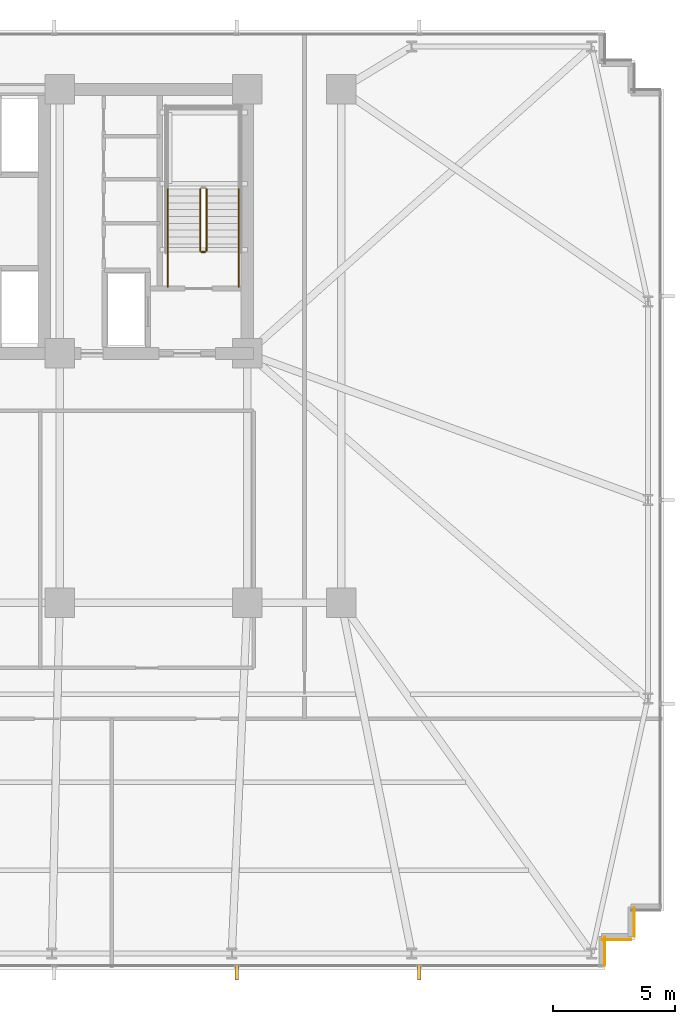
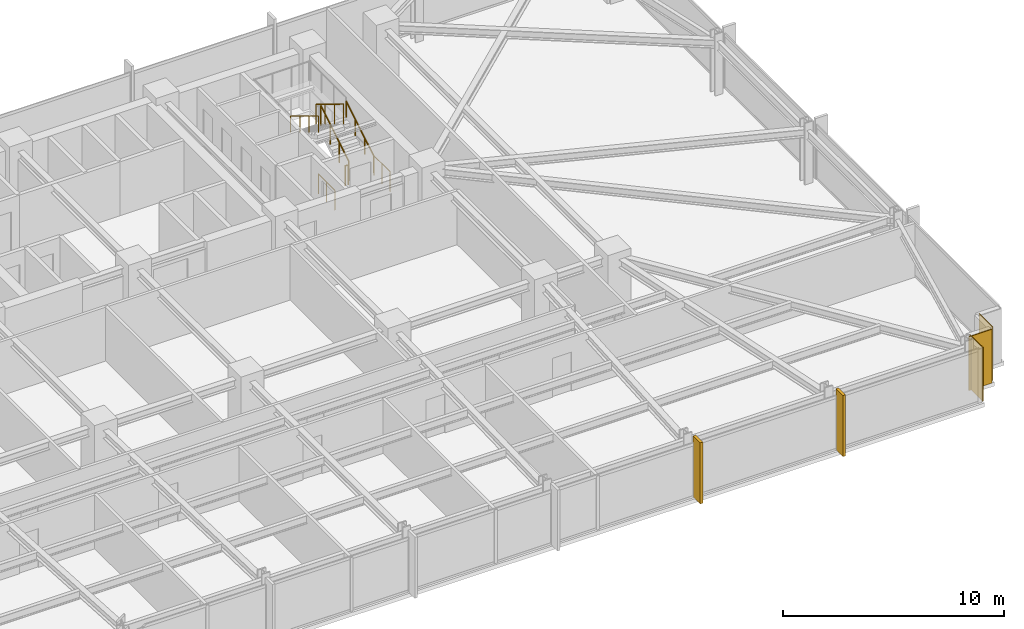
# One storey, part 29 of 32: 7 railings, 3 coverings, 2 shading devices.
"""IFC4 building model written with IfcOpenShell, lengths in metres."""

from ifc_helpers import new_model, si_unit, direction, frame, frame_2d, origin, origin_2d, place, context, subcontext, project, spatial, rectangle, circle, extrude, material, layer, layer_set, type_object, element, save


model = new_model("IFC4")

# Units and contexts
model_context = context("Model", 3, precision=1e-05, world=origin(), true_north=direction((0.0, 1.0)))
body_context = subcontext(model_context, "Body", "Model", "MODEL_VIEW")
ifc_project = project(units=[si_unit("LENGTHUNIT", "METRE"), si_unit("AREAUNIT", "SQUARE_METRE"), si_unit("VOLUMEUNIT", "CUBIC_METRE"), si_unit("PLANEANGLEUNIT", "RADIAN"), si_unit("MASSUNIT", "GRAM", prefix="KILO")], contexts=[model_context])

# Site, building, storey
site_placement = place(None, origin())
site = spatial("IfcSite", under=ifc_project, at=site_placement, CompositionType="ELEMENT")
building_placement = place(site_placement, origin())
building = spatial("IfcBuilding", under=site, at=building_placement, Name="Yelkora Congress Tower", CompositionType="ELEMENT")
storey_placement = place(building_placement, frame((0.0, 0.0, 74.60009765625)))
storey = spatial("IfcBuildingStorey", under=building, at=storey_placement, Name="L19", CompositionType="ELEMENT", Elevation=74.60009765625)

# Coverings
ifc_material_1 = material(Name="Anatolian bush-hammered limestone", Category="masonry")
ifc_layer_1 = layer(ifc_material_1, 0.0400390625)
ifc_layer_set_1 = layer_set([ifc_layer_1], Name="Anatolian bush-hammered limestone")
covering_type = type_object("IfcCoveringType", Name="COV-CLAD-SPANDREL-40", PredefinedType="CLADDING", material=ifc_layer_set_1)
for number, where, z_axis, x_axis, name in (
    (1, (69.594970703125, 12.739990234375, 0.0), (0.0, 0.0, 1.0), (0.0, -1.0, 0.0), "L19 Anatolian Limestone Cladding EW-L19-SR17"),
    (2, (69.4599609375, 11.405029296875, 0.0), (0.0, 0.0, 1.0), (-1.0, 0.0, 0.0), "L19 Anatolian Limestone Cladding EW-L19-SR18"),
    (3, (68.39501953125, 11.5400390625, 0.0), (0.0, 0.0, 1.0), (0.0, -1.0, 0.0), "L19 Anatolian Limestone Cladding EW-L19-SR19"),
):
    element("IfcCovering", number, at=place(storey_placement, frame(where, z_axis=z_axis, x_axis=x_axis)), inside=storey, type_object=covering_type, Name=name, PredefinedType="CLADDING", context=body_context, shape_type="SweptSolid", body=[
        extrude(rectangle(XDim=1.199951171875, YDim=0.0400390625, at=frame_2d((0.60009765625, 0.0))), origin(), (0.0, 0.0, 1.0), 2.97998046875),
    ])

# Railings
ifc_material_2 = material(Name="Painted galvanised steel stair well guard with vertical infill", Category="steel")
ifc_layer_2 = layer(ifc_material_2, 0.06005859375)
ifc_layer_set_2 = layer_set([ifc_layer_2], Name="Painted galvanised steel stair well guard with vertical infill")
railing_type_1 = type_object("IfcRailingType", Name="RAIL-STAIR-GUARD-1120", PredefinedType="GUARDRAIL", material=ifc_layer_set_2)
railing_1_placement = place(storey_placement, frame((52.090087890625, 39.60009765625, 0.169921875)))
element("IfcRailing", 4, at=railing_1_placement, inside=storey, type_object=railing_type_1, Name="ST-02 L19 Stair Well Guardrail 1", PredefinedType="GUARDRAIL", context=body_context, shape_type="SweptSolid", body=[
    extrude(circle(Radius=0.02392578125, at=origin_2d()), frame((0.0, 0.0, 1.09619140625), z_axis=(0.0, 0.85478489116, 0.518982456201), x_axis=(-1.0, 0.0, 0.0)), (0.0, 0.0, 1.0), 2.9482421875),
    extrude(circle(Radius=0.02099609375, at=origin_2d()), origin(), (0.0, 0.0, 1.0), 1.072021484375),
    extrude(circle(Radius=0.02099609375, at=origin_2d()), frame((0.0, 0.840087890625, 0.510009765625)), (0.0, 0.0, 1.0), 1.072021484375),
    extrude(circle(Radius=0.02099609375, at=origin_2d()), frame((0.0, 1.679931640625, 1.02001953125)), (0.0, 0.0, 1.0), 1.072021484375),
    extrude(circle(Radius=0.02099609375, at=origin_2d()), frame((0.0, 2.52001953125, 1.530029296875)), (0.0, 0.0, 1.0), 1.072021484375),
])
railing_2_placement = place(storey_placement, frame((51.830078125, 42.1201171875, 1.869873046875)))
element("IfcRailing", 5, at=railing_2_placement, inside=storey, type_object=railing_type_1, Name="ST-02 L19 Stair Well Guardrail 6", PredefinedType="GUARDRAIL", context=body_context, shape_type="SweptSolid", body=[
    extrude(circle(Radius=0.02392578125, at=origin_2d()), frame((0.0, 0.0, 1.09619140625), z_axis=(0.0, -0.85478489116, 0.518982456201), x_axis=(1.0, 0.0, 0.0)), (0.0, 0.0, 1.0), 2.9482421875),
    extrude(circle(Radius=0.02099609375, at=origin_2d()), origin(), (0.0, 0.0, 1.0), 1.072021484375),
    extrude(circle(Radius=0.02099609375, at=origin_2d()), frame((0.0, -0.840087890625, 0.510009765625)), (0.0, 0.0, 1.0), 1.072021484375),
    extrude(circle(Radius=0.02099609375, at=origin_2d()), frame((0.0, -1.679931640625, 1.02001953125)), (0.0, 0.0, 1.0), 1.072021484375),
    extrude(circle(Radius=0.02099609375, at=origin_2d()), frame((0.0, -2.52001953125, 1.530029296875)), (0.0, 0.0, 1.0), 1.072021484375),
])
railing_3_placement = place(storey_placement, frame((52.0400390625, 39.550048828125, 0.0)))
element("IfcRailing", 6, at=railing_3_placement, inside=storey, type_object=railing_type_1, Name="ST-02 L19 Stair Well Guardrail 7", PredefinedType="GUARDRAIL", context=body_context, shape_type="SweptSolid", body=[
    extrude(circle(Radius=0.02392578125, at=origin_2d()), frame((0.0, 0.0, 1.09619140625), z_axis=(-1.0, 0.0, 0.0), x_axis=(0.0, -1.0, 0.0)), (0.0, 0.0, 1.0), 0.16015625),
    extrude(circle(Radius=0.02099609375, at=origin_2d()), origin(), (0.0, 0.0, 1.0), 1.072021484375),
    extrude(circle(Radius=0.02099609375, at=origin_2d()), frame((-0.16015625, 0.0, 0.0)), (0.0, 0.0, 1.0), 1.072021484375),
])
for number, where, name in (
    (7, (53.409912109375, 38.1201171875, 0.0), "ST-02 L19 Stair Well Guardrail 8"),
    (8, (50.510009765625, 38.1201171875, 0.0), "ST-02 L19 Stair Well Guardrail 9"),
):
    element("IfcRailing", number, at=place(storey_placement, frame(where)), inside=storey, type_object=railing_type_1, Name=name, PredefinedType="GUARDRAIL", context=body_context, shape_type="SweptSolid", body=[
        extrude(circle(Radius=0.02392578125, at=origin_2d()), frame((0.0, 0.0, 1.09619140625), z_axis=(0.0, 1.0, 0.0), x_axis=(-1.0, 0.0, 0.0)), (0.0, 0.0, 1.0), 1.47998046875),
        extrude(circle(Radius=0.02099609375, at=origin_2d()), origin(), (0.0, 0.0, 1.0), 1.072021484375),
        extrude(circle(Radius=0.02099609375, at=origin_2d()), frame((0.0, 0.739990234375, 0.0)), (0.0, 0.0, 1.0), 1.072021484375),
        extrude(circle(Radius=0.02099609375, at=origin_2d()), frame((0.0, 1.47998046875, 0.0)), (0.0, 0.0, 1.0), 1.072021484375),
    ])
ifc_material_3 = material(Name="Brushed stainless steel tubular handrail", Category="steel")
ifc_layer_3 = layer(ifc_material_3, 0.050048828125)
ifc_layer_set_3 = layer_set([ifc_layer_3], Name="Brushed stainless steel tubular handrail")
railing_type_2 = type_object("IfcRailingType", Name="RAIL-STAIR-HAND-920", PredefinedType="HANDRAIL", material=ifc_layer_set_3)
railing_4_placement = place(storey_placement, frame((53.409912109375, 39.60009765625, 0.169921875)))
element("IfcRailing", 9, at=railing_4_placement, inside=storey, type_object=railing_type_2, Name="ST-02 L19 Pitch Handrail 1", PredefinedType="HANDRAIL", context=body_context, shape_type="SweptSolid", body=[
    extrude(circle(Radius=0.02392578125, at=origin_2d()), frame((0.0, 0.0, 0.89599609375), z_axis=(0.0, 0.85478489116, 0.518982456201), x_axis=(-1.0, 0.0, 0.0)), (0.0, 0.0, 1.0), 2.9482421875),
    extrude(circle(Radius=0.02099609375, at=origin_2d()), origin(), (0.0, 0.0, 1.0), 0.871826171875),
    extrude(circle(Radius=0.02099609375, at=origin_2d()), frame((0.0, 0.840087890625, 0.510009765625)), (0.0, 0.0, 1.0), 0.871826171875),
    extrude(circle(Radius=0.02099609375, at=origin_2d()), frame((0.0, 1.679931640625, 1.02001953125)), (0.0, 0.0, 1.0), 0.871826171875),
    extrude(circle(Radius=0.02099609375, at=origin_2d()), frame((0.0, 2.52001953125, 1.530029296875)), (0.0, 0.0, 1.0), 0.871826171875),
])
railing_5_placement = place(storey_placement, frame((50.510009765625, 42.1201171875, 1.869873046875)))
element("IfcRailing", 10, at=railing_5_placement, inside=storey, type_object=railing_type_2, Name="ST-02 L19 Pitch Handrail 2", PredefinedType="HANDRAIL", context=body_context, shape_type="SweptSolid", body=[
    extrude(circle(Radius=0.02392578125, at=origin_2d()), frame((0.0, 0.0, 0.89599609375), z_axis=(0.0, -0.85478489116, 0.518982456201), x_axis=(1.0, 0.0, 0.0)), (0.0, 0.0, 1.0), 2.9482421875),
    extrude(circle(Radius=0.02099609375, at=origin_2d()), origin(), (0.0, 0.0, 1.0), 0.871826171875),
    extrude(circle(Radius=0.02099609375, at=origin_2d()), frame((0.0, -0.840087890625, 0.510009765625)), (0.0, 0.0, 1.0), 0.871826171875),
    extrude(circle(Radius=0.02099609375, at=origin_2d()), frame((0.0, -1.679931640625, 1.02001953125)), (0.0, 0.0, 1.0), 0.871826171875),
    extrude(circle(Radius=0.02099609375, at=origin_2d()), frame((0.0, -2.52001953125, 1.530029296875)), (0.0, 0.0, 1.0), 0.871826171875),
])

# Shading devices
ifc_material_4 = material(Name="Champagne anodised aluminium", Category="aluminium")
ifc_layer_4 = layer(ifc_material_4, 3.39990234375)
ifc_layer_set_4 = layer_set([ifc_layer_4], Name="Champagne anodised aluminium")
shading_device_type = type_object("IfcShadingDeviceType", Name="SHD-FIN-ALU-640", PredefinedType="USERDEFINED", material=ifc_layer_set_4)
for number, where, z_axis, x_axis, name in (
    (11, (60.794921875, 10.080078125, -0.030029296875), (0.0, 0.0, 1.0), (-1.0, 0.0, 0.0), "L19 Vertical Anodised Solar Fin 20-1"),
    (12, (53.330078125, 10.080078125, -0.030029296875), (0.0, 0.0, 1.0), (-1.0, 0.0, 0.0), "L19 Vertical Anodised Solar Fin 20-2"),
):
    element("IfcShadingDevice", number, at=place(storey_placement, frame(where, z_axis=z_axis, x_axis=x_axis)), inside=storey, type_object=shading_device_type, Name=name, ObjectType="FIN", PredefinedType="USERDEFINED", context=body_context, shape_type="SweptSolid", body=[
        extrude(rectangle(XDim=0.139892578125, YDim=0.639892578125, at=origin_2d()), origin(), (0.0, 0.0, 1.0), 3.3798828125),
    ])

save(model, "model.ifc")
